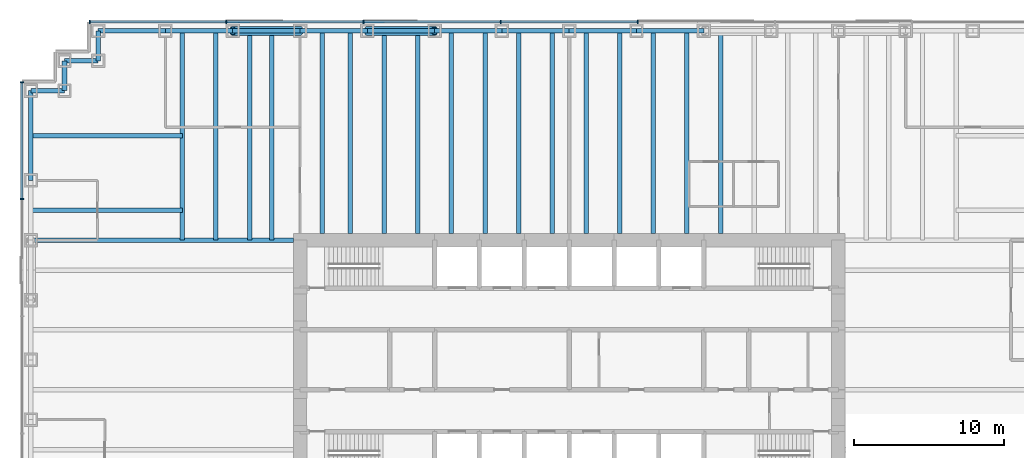
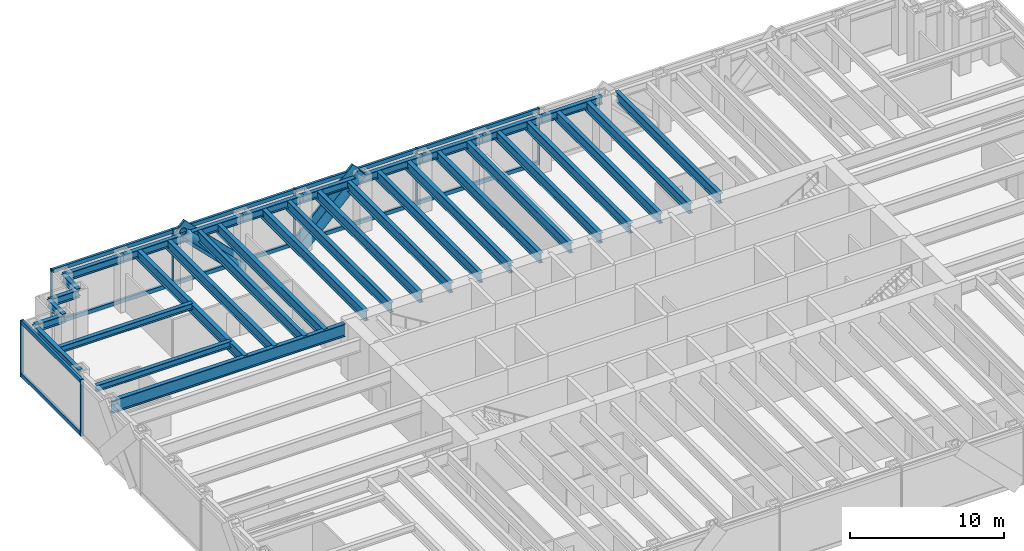
# One storey, part 5 of 13: 34 beams, 21 members, 2 elements without a shape of their own.
"""IFC4 building model written with IfcOpenShell, lengths in metres."""

from ifc_helpers import new_model, si_unit, direction, frame, origin, origin_2d, place, context, subcontext, project, spatial, rectangle, hollow_circle, i_section, extrude, material, material_profile, profile_set, type_object, element, aggregate, save


model = new_model("IFC4")

# Units and contexts
model_context = context("Model", 3, precision=1e-05, world=origin(), true_north=direction((0.0, 1.0)))
body_context = subcontext(model_context, "Body", "Model", "MODEL_VIEW")
ifc_project = project(units=[si_unit("LENGTHUNIT", "METRE"), si_unit("AREAUNIT", "SQUARE_METRE"), si_unit("VOLUMEUNIT", "CUBIC_METRE"), si_unit("PLANEANGLEUNIT", "RADIAN"), si_unit("MASSUNIT", "GRAM", prefix="KILO")], contexts=[model_context])

# Site, building, storey
site_placement = place(None, origin())
site = spatial("IfcSite", under=ifc_project, at=site_placement, CompositionType="ELEMENT")
building_placement = place(site_placement, origin())
building = spatial("IfcBuilding", under=site, at=building_placement, Name="Rheinbord Bourse Tower", CompositionType="ELEMENT")
storey_placement = place(building_placement, frame((0.0, 0.0, 50.0)))
storey = spatial("IfcBuildingStorey", under=building, at=storey_placement, Name="L10", CompositionType="ELEMENT", Elevation=50.0)

# Curtain wall, members
ifc_material_1 = material(Name="Dark glass and black aluminium", Category="aluminium")
curtain_wall_type = type_object("IfcCurtainWallType", Name="CW1 DARK GLASS CURTAIN WALL", PredefinedType="USERDEFINED", material=ifc_material_1)
curtain_wall_1_placement = place(storey_placement, origin())
curtain_wall_1 = element("IfcCurtainWall", 1, at=curtain_wall_1_placement, inside=storey, type_object=curtain_wall_type, Name="Curtain wall CW1 N L10", ObjectType="UNITISED CURTAIN WALL", PredefinedType="USERDEFINED")
ifc_material_2 = material(Name="Black anodised aluminium", Category="aluminium")
ifc_material_profile_1 = material_profile(ifc_material_2, rectangle(XDim=0.179931640625, YDim=1.2099609375, at=origin_2d()), Name="CW1 DIAGONAL MULLION 1210x180")
ifc_profile_set_1 = profile_set([ifc_material_profile_1], Name="Black anodised aluminium")
member_type_1 = type_object("IfcMemberType", Name="CW1 BLACK DIAGONAL MULLION", PredefinedType="USERDEFINED", material=ifc_profile_set_1)
member_1_placement = place(storey_placement, frame((18.0, 46.60009765625, 0.0), z_axis=(-0.707106781187, 0.0, 0.707106781187), x_axis=(0.0, -1.0, 0.0)))
member_1 = element("IfcMember", 2, at=member_1_placement, type_object=member_type_1, Name="CW1 diagonal mullion b", ObjectType="DIAGONAL MULLION", PredefinedType="USERDEFINED", context=body_context, shape_type="SweptSolid", body=[
    extrude(rectangle(XDim=0.179931640625, YDim=1.2099609375, at=origin_2d()), origin(), (0.0, 0.0, 1.0), 6.364013671875),
])
member_2_placement = place(storey_placement, frame((22.5, 46.60009765625, 0.0), z_axis=(0.707106781187, 0.0, 0.707106781187), x_axis=(0.0, 1.0, 0.0)))
member_2 = element("IfcMember", 3, at=member_2_placement, type_object=member_type_1, Name="CW1 diagonal mullion d", ObjectType="DIAGONAL MULLION", PredefinedType="USERDEFINED", context=body_context, shape_type="SweptSolid", body=[
    extrude(rectangle(XDim=0.179931640625, YDim=1.2099609375, at=origin_2d()), origin(), (0.0, 0.0, 1.0), 6.364013671875),
])
ifc_material_3 = material(Name="Black anodised aluminium", Category="aluminium")
ifc_material_profile_2 = material_profile(ifc_material_3, rectangle(XDim=0.25, YDim=0.080078125, at=origin_2d()), Name="CW1 MULLION 80x250")
ifc_profile_set_2 = profile_set([ifc_material_profile_2], Name="Black anodised aluminium")
member_type_2 = type_object("IfcMemberType", Name="CW1 BLACK MULLION", PredefinedType="MULLION", material=ifc_profile_set_2)
member_3_placement = place(storey_placement, frame((40.585693359375, 46.60009765625, 0.0), z_axis=(0.0, 0.0, 1.0), x_axis=(0.0, -1.0, 0.0)))
member_3 = element("IfcMember", 4, at=member_3_placement, type_object=member_type_2, Name="CW1 mullion 4", PredefinedType="MULLION", context=body_context, shape_type="SweptSolid", body=[
    extrude(rectangle(XDim=0.25, YDim=0.080078125, at=origin_2d()), origin(), (0.0, 0.0, 1.0), 4.5),
])
member_4_placement = place(storey_placement, frame((31.414306640625, 46.60009765625, 0.0), z_axis=(0.0, 0.0, 1.0), x_axis=(0.0, -1.0, 0.0)))
member_4 = element("IfcMember", 5, at=member_4_placement, type_object=member_type_2, Name="CW1 mullion 5", PredefinedType="MULLION", context=body_context, shape_type="SweptSolid", body=[
    extrude(rectangle(XDim=0.25, YDim=0.080078125, at=origin_2d()), origin(), (0.0, 0.0, 1.0), 4.5),
])
member_5_placement = place(storey_placement, frame((22.242919921875, 46.60009765625, 0.0), z_axis=(0.0, 0.0, 1.0), x_axis=(0.0, -1.0, 0.0)))
member_5 = element("IfcMember", 6, at=member_5_placement, type_object=member_type_2, Name="CW1 mullion 6", PredefinedType="MULLION", context=body_context, shape_type="SweptSolid", body=[
    extrude(rectangle(XDim=0.25, YDim=0.080078125, at=origin_2d()), origin(), (0.0, 0.0, 1.0), 4.5),
])
member_6_placement = place(storey_placement, frame((13.071533203125, 46.60009765625, 0.0), z_axis=(0.0, 0.0, 1.0), x_axis=(0.0, -1.0, 0.0)))
member_6 = element("IfcMember", 7, at=member_6_placement, type_object=member_type_2, Name="CW1 mullion 7", PredefinedType="MULLION", context=body_context, shape_type="SweptSolid", body=[
    extrude(rectangle(XDim=0.25, YDim=0.080078125, at=origin_2d()), origin(), (0.0, 0.0, 1.0), 4.5),
])
member_7_placement = place(storey_placement, frame((3.93994140625, 46.60009765625, 0.0), z_axis=(0.0, 0.0, 1.0), x_axis=(0.0, -1.0, 0.0)))
member_7 = element("IfcMember", 8, at=member_7_placement, type_object=member_type_2, Name="CW1 mullion 8", PredefinedType="MULLION", context=body_context, shape_type="SweptSolid", body=[
    extrude(rectangle(XDim=0.25, YDim=0.080078125, at=origin_2d()), origin(), (0.0, 0.0, 1.0), 4.5),
])

curtain_wall_2_placement = place(storey_placement, origin())
curtain_wall_2 = element("IfcCurtainWall", 9, at=curtain_wall_2_placement, inside=storey, type_object=curtain_wall_type, Name="Curtain wall CW1 W L10", ObjectType="UNITISED CURTAIN WALL", PredefinedType="USERDEFINED")
member_8_placement = place(storey_placement, frame((-0.60009765625, 42.56005859375, 0.0), z_axis=(0.0, 0.0, 1.0), x_axis=(1.0, 0.0, 0.0)))
member_8 = element("IfcMember", 10, at=member_8_placement, type_object=member_type_2, Name="CW1 mullion 1", PredefinedType="MULLION", context=body_context, shape_type="SweptSolid", body=[
    extrude(rectangle(XDim=0.25, YDim=0.080078125, at=origin_2d()), origin(), (0.0, 0.0, 1.0), 4.5),
])
member_9_placement = place(storey_placement, frame((-0.60009765625, 34.760009765625, 0.0), z_axis=(0.0, 0.0, 1.0), x_axis=(1.0, 0.0, 0.0)))
member_9 = element("IfcMember", 11, at=member_9_placement, type_object=member_type_2, Name="CW1 mullion 2", PredefinedType="MULLION", context=body_context, shape_type="SweptSolid", body=[
    extrude(rectangle(XDim=0.25, YDim=0.080078125, at=origin_2d()), origin(), (0.0, 0.0, 1.0), 4.5),
])

# Member
ifc_material_4 = material(Name="Black anodised aluminium", Category="aluminium")
ifc_material_profile_3 = material_profile(ifc_material_4, rectangle(XDim=0.179931640625, YDim=0.300048828125, at=origin_2d()), Name="CW1 TRANSOM 300x180")
ifc_profile_set_3 = profile_set([ifc_material_profile_3], Name="Black anodised aluminium")
member_type_3 = type_object("IfcMemberType", Name="CW1 BLACK TRANSOM", PredefinedType="USERDEFINED", material=ifc_profile_set_3)
member_10_placement = place(storey_placement, frame((40.545654296875, 46.60009765625, 0.14990234375), z_axis=(-1.0, 0.0, 0.0), x_axis=(0.0, -1.0, 0.0)))
member_10 = element("IfcMember", 12, at=member_10_placement, type_object=member_type_3, Name="CW1 transom 4.1", ObjectType="TRANSOM", PredefinedType="USERDEFINED", context=body_context, shape_type="SweptSolid", body=[
    extrude(rectangle(XDim=0.179931640625, YDim=0.300048828125, at=origin_2d()), origin(), (0.0, 0.0, 1.0), 9.09130859375),
])

member_11_placement = place(storey_placement, frame((40.545654296875, 46.60009765625, 4.35009765625), z_axis=(-1.0, 0.0, 0.0), x_axis=(0.0, -1.0, 0.0)))
member_11 = element("IfcMember", 13, at=member_11_placement, type_object=member_type_3, Name="CW1 transom 4.2", ObjectType="TRANSOM", PredefinedType="USERDEFINED", context=body_context, shape_type="SweptSolid", body=[
    extrude(rectangle(XDim=0.179931640625, YDim=0.300048828125, at=origin_2d()), origin(), (0.0, 0.0, 1.0), 9.09130859375),
])

member_12_placement = place(storey_placement, frame((31.374267578125, 46.60009765625, 0.14990234375), z_axis=(-1.0, 0.0, 0.0), x_axis=(0.0, -1.0, 0.0)))
member_12 = element("IfcMember", 14, at=member_12_placement, type_object=member_type_3, Name="CW1 transom 5.1", ObjectType="TRANSOM", PredefinedType="USERDEFINED", context=body_context, shape_type="SweptSolid", body=[
    extrude(rectangle(XDim=0.179931640625, YDim=0.300048828125, at=origin_2d()), origin(), (0.0, 0.0, 1.0), 9.09130859375),
])

member_13_placement = place(storey_placement, frame((31.374267578125, 46.60009765625, 4.35009765625), z_axis=(-1.0, 0.0, 0.0), x_axis=(0.0, -1.0, 0.0)))
member_13 = element("IfcMember", 15, at=member_13_placement, type_object=member_type_3, Name="CW1 transom 5.2", ObjectType="TRANSOM", PredefinedType="USERDEFINED", context=body_context, shape_type="SweptSolid", body=[
    extrude(rectangle(XDim=0.179931640625, YDim=0.300048828125, at=origin_2d()), origin(), (0.0, 0.0, 1.0), 9.09130859375),
])

member_14_placement = place(storey_placement, frame((22.202880859375, 46.60009765625, 0.14990234375), z_axis=(-1.0, 0.0, 0.0), x_axis=(0.0, -1.0, 0.0)))
member_14 = element("IfcMember", 16, at=member_14_placement, type_object=member_type_3, Name="CW1 transom 6.1", ObjectType="TRANSOM", PredefinedType="USERDEFINED", context=body_context, shape_type="SweptSolid", body=[
    extrude(rectangle(XDim=0.179931640625, YDim=0.300048828125, at=origin_2d()), origin(), (0.0, 0.0, 1.0), 9.091552734375),
])

member_15_placement = place(storey_placement, frame((22.202880859375, 46.60009765625, 4.35009765625), z_axis=(-1.0, 0.0, 0.0), x_axis=(0.0, -1.0, 0.0)))
member_15 = element("IfcMember", 17, at=member_15_placement, type_object=member_type_3, Name="CW1 transom 6.2", ObjectType="TRANSOM", PredefinedType="USERDEFINED", context=body_context, shape_type="SweptSolid", body=[
    extrude(rectangle(XDim=0.179931640625, YDim=0.300048828125, at=origin_2d()), origin(), (0.0, 0.0, 1.0), 9.091552734375),
])

member_16_placement = place(storey_placement, frame((13.031494140625, 46.60009765625, 0.14990234375), z_axis=(-1.0, 0.0, 0.0), x_axis=(0.0, -1.0, 0.0)))
member_16 = element("IfcMember", 18, at=member_16_placement, type_object=member_type_3, Name="CW1 transom 7.1", ObjectType="TRANSOM", PredefinedType="USERDEFINED", context=body_context, shape_type="SweptSolid", body=[
    extrude(rectangle(XDim=0.179931640625, YDim=0.300048828125, at=origin_2d()), origin(), (0.0, 0.0, 1.0), 9.051513671875),
])

member_17_placement = place(storey_placement, frame((13.031494140625, 46.60009765625, 4.35009765625), z_axis=(-1.0, 0.0, 0.0), x_axis=(0.0, -1.0, 0.0)))
member_17 = element("IfcMember", 19, at=member_17_placement, type_object=member_type_3, Name="CW1 transom 7.2", ObjectType="TRANSOM", PredefinedType="USERDEFINED", context=body_context, shape_type="SweptSolid", body=[
    extrude(rectangle(XDim=0.179931640625, YDim=0.300048828125, at=origin_2d()), origin(), (0.0, 0.0, 1.0), 9.051513671875),
])

aggregate(curtain_wall_1, [member_3, member_4, member_5, member_6, member_7, member_10, member_11, member_12, member_13, member_14, member_15, member_16, member_17, member_1, member_2])

member_18_placement = place(storey_placement, frame((-0.60009765625, 42.52001953125, 0.14990234375), z_axis=(0.0, -1.0, 0.0), x_axis=(1.0, 0.0, 0.0)))
member_18 = element("IfcMember", 20, at=member_18_placement, type_object=member_type_3, Name="CW1 transom 1.1", ObjectType="TRANSOM", PredefinedType="USERDEFINED", context=body_context, shape_type="SweptSolid", body=[
    extrude(rectangle(XDim=0.179931640625, YDim=0.300048828125, at=origin_2d()), origin(), (0.0, 0.0, 1.0), 7.719970703125),
])

member_19_placement = place(storey_placement, frame((-0.60009765625, 42.52001953125, 4.35009765625), z_axis=(0.0, -1.0, 0.0), x_axis=(1.0, 0.0, 0.0)))
member_19 = element("IfcMember", 21, at=member_19_placement, type_object=member_type_3, Name="CW1 transom 1.2", ObjectType="TRANSOM", PredefinedType="USERDEFINED", context=body_context, shape_type="SweptSolid", body=[
    extrude(rectangle(XDim=0.179931640625, YDim=0.300048828125, at=origin_2d()), origin(), (0.0, 0.0, 1.0), 7.719970703125),
])

aggregate(curtain_wall_2, [member_8, member_9, member_18, member_19])

# Beams
ifc_material_5 = material(Name="Steel S460", Category="steel")
ifc_material_profile_4 = material_profile(ifc_material_5, i_section(OverallWidth=0.300048828125, OverallDepth=0.800048828125, WebThickness=0.017578125, FlangeThickness=0.032958984375, at=origin_2d()), Name="HEB 800")
ifc_profile_set_4 = profile_set([ifc_material_profile_4], Name="Steel S460")
beam_type_1 = type_object("IfcBeamType", Name="FLOOR BEAM HEB 800", PredefinedType="BEAM", material=ifc_profile_set_4)
for number, where, z_axis, x_axis, name in (
    (22, (10.125, 46.0, 3.919921875), (0.0, -1.0, 0.0), (1.0, 0.0, 0.0), "Floor beam N-9a L11"),
    (23, (12.375, 46.0, 3.919921875), (0.0, -1.0, 0.0), (1.0, 0.0, 0.0), "Floor beam N-9b L11"),
    (24, (14.625, 46.0, 3.919921875), (0.0, -1.0, 0.0), (1.0, 0.0, 0.0), "Floor beam N-13.5a L11"),
    (25, (16.125, 46.0, 3.919921875), (0.0, -1.0, 0.0), (1.0, 0.0, 0.0), "Floor beam N-13.5b L11"),
):
    element("IfcBeam", number, at=place(storey_placement, frame(where, z_axis=z_axis, x_axis=x_axis)), inside=storey, type_object=beam_type_1, Name=name, PredefinedType="BEAM", context=body_context, shape_type="SweptSolid", body=[
        extrude(i_section(OverallWidth=0.300048828125, OverallDepth=0.800048828125, WebThickness=0.017578125, FlangeThickness=0.032958984375, at=origin_2d()), origin(), (0.0, 0.0, 1.0), 14.0),
    ])
for number, where, z_axis, x_axis, name in (
    (26, (19.5, 46.0, 3.919921875), (0.0, -1.0, 0.0), (1.0, 0.0, 0.0), "Floor beam N-18a L11"),
    (27, (21.375, 46.0, 3.919921875), (0.0, -1.0, 0.0), (1.0, 0.0, 0.0), "Floor beam N-18b L11"),
    (28, (23.625, 46.0, 3.919921875), (0.0, -1.0, 0.0), (1.0, 0.0, 0.0), "Floor beam N-22.5a L11"),
    (29, (25.875, 46.0, 3.919921875), (0.0, -1.0, 0.0), (1.0, 0.0, 0.0), "Floor beam N-22.5b L11"),
    (30, (28.125, 46.0, 3.919921875), (0.0, -1.0, 0.0), (1.0, 0.0, 0.0), "Floor beam N-27a L11"),
    (31, (30.375, 46.0, 3.919921875), (0.0, -1.0, 0.0), (1.0, 0.0, 0.0), "Floor beam N-27b L11"),
    (32, (32.625, 46.0, 3.919921875), (0.0, -1.0, 0.0), (1.0, 0.0, 0.0), "Floor beam N-31.5a L11"),
    (33, (34.875, 46.0, 3.919921875), (0.0, -1.0, 0.0), (1.0, 0.0, 0.0), "Floor beam N-31.5b L11"),
    (34, (37.125, 46.0, 3.919921875), (0.0, -1.0, 0.0), (1.0, 0.0, 0.0), "Floor beam N-36a L11"),
    (35, (39.375, 46.0, 3.919921875), (0.0, -1.0, 0.0), (1.0, 0.0, 0.0), "Floor beam N-36b L11"),
    (36, (41.625, 46.0, 3.919921875), (0.0, -1.0, 0.0), (1.0, 0.0, 0.0), "Floor beam N-40.5a L11"),
    (37, (43.875, 46.0, 3.919921875), (0.0, -1.0, 0.0), (1.0, 0.0, 0.0), "Floor beam N-40.5b L11"),
    (38, (46.125, 46.0, 3.919921875), (0.0, -1.0, 0.0), (1.0, 0.0, 0.0), "Floor beam N-45a L11"),
):
    element("IfcBeam", number, at=place(storey_placement, frame(where, z_axis=z_axis, x_axis=x_axis)), inside=storey, type_object=beam_type_1, Name=name, PredefinedType="BEAM", context=body_context, shape_type="SweptSolid", body=[
        extrude(i_section(OverallWidth=0.300048828125, OverallDepth=0.800048828125, WebThickness=0.017578125, FlangeThickness=0.032958984375, at=origin_2d()), origin(), (0.0, 0.0, 1.0), 13.550048828125),
    ])
ifc_material_6 = material(Name="Steel S460", Category="steel")
ifc_material_profile_5 = material_profile(ifc_material_6, i_section(OverallWidth=0.302001953125, OverallDepth=1.008056640625, WebThickness=0.02099609375, FlangeThickness=0.0400390625, at=origin_2d()), Name="HEM 1000")
ifc_profile_set_5 = profile_set([ifc_material_profile_5], Name="Steel S460")
beam_type_2 = type_object("IfcBeamType", Name="GIRDER HEM 1000", PredefinedType="BEAM", material=ifc_profile_set_5)
beam_1_placement = place(storey_placement, frame((0.0, 32.0, 3.81591796875), z_axis=(1.0, 0.0, 0.0), x_axis=(0.0, 1.0, 0.0)))
element("IfcBeam", 39, at=beam_1_placement, inside=storey, type_object=beam_type_2, Name="Girder west 32 L11", PredefinedType="BEAM", context=body_context, shape_type="SweptSolid", body=[
    extrude(i_section(OverallWidth=0.302001953125, OverallDepth=1.008056640625, WebThickness=0.02099609375, FlangeThickness=0.0400390625, at=origin_2d()), origin(), (0.0, 0.0, 1.0), 17.550048828125),
])

# Members
ifc_material_7 = material(Name="Steel S460", Category="steel")
ifc_material_profile_6 = material_profile(ifc_material_7, hollow_circle(Radius=0.304931640625, WallThickness=0.050048828125, at=origin_2d()), Name="CHS 610x50")
ifc_profile_set_6 = profile_set([ifc_material_profile_6], Name="Steel S460")
member_type_4 = type_object("IfcMemberType", Name="MEGABRACE CHS 610x50", PredefinedType="BRACE", material=ifc_profile_set_6)
for number, where, z_axis, x_axis, name in (
    (40, (18.0, 46.0, 0.0), (-0.707106781187, 0.0, 0.707106781187), (0.0, -1.0, 0.0), "Megabrace N face line b L10"),
    (41, (22.5, 46.0, 0.0), (0.707106781187, 0.0, 0.707106781187), (0.0, 1.0, 0.0), "Megabrace N face line d L10"),
):
    element("IfcMember", number, at=place(storey_placement, frame(where, z_axis=z_axis, x_axis=x_axis)), inside=storey, type_object=member_type_4, Name=name, PredefinedType="BRACE", context=body_context, shape_type="SweptSolid", body=[
        extrude(hollow_circle(Radius=0.304931640625, WallThickness=0.050048828125, at=origin_2d()), origin(), (0.0, 0.0, 1.0), 6.364013671875),
    ])

# Beams
ifc_material_8 = material(Name="Steel S460", Category="steel")
ifc_material_profile_7 = material_profile(ifc_material_8, i_section(OverallWidth=0.304931640625, OverallDepth=0.6201171875, WebThickness=0.02099609375, FlangeThickness=0.0400390625, at=origin_2d()), Name="HEM 600")
ifc_profile_set_7 = profile_set([ifc_material_profile_7], Name="Steel S460")
beam_type_3 = type_object("IfcBeamType", Name="SPANDREL HEM 600", PredefinedType="SPANDREL", material=ifc_profile_set_7)
for number, where, z_axis, x_axis, name in (
    (42, (45.0, 46.0, 4.010009765625), (-1.0, 0.0, 0.0), (0.0, -1.0, 0.0), "Spandrel N-45-N-40.5 under L11"),
    (43, (40.5, 46.0, 4.010009765625), (-1.0, 0.0, 0.0), (0.0, -1.0, 0.0), "Spandrel N-40.5-N-36 under L11"),
    (44, (36.0, 46.0, 4.010009765625), (-1.0, 0.0, 0.0), (0.0, -1.0, 0.0), "Spandrel N-36-N-31.5 under L11"),
    (45, (31.5, 46.0, 4.010009765625), (-1.0, 0.0, 0.0), (0.0, -1.0, 0.0), "Spandrel N-31.5-N-27 under L11"),
    (46, (27.0, 46.0, 4.010009765625), (-1.0, 0.0, 0.0), (0.0, -1.0, 0.0), "Spandrel N-27-N-22.5 under L11"),
    (47, (22.5, 46.0, 4.010009765625), (-1.0, 0.0, 0.0), (0.0, -1.0, 0.0), "Spandrel N-22.5-N-18 under L11"),
    (48, (18.0, 46.0, 4.010009765625), (-1.0, 0.0, 0.0), (0.0, -1.0, 0.0), "Spandrel N-18-N-13.5 under L11"),
    (49, (13.5, 46.0, 4.010009765625), (-1.0, 0.0, 0.0), (0.0, -1.0, 0.0), "Spandrel N-13.5-N-9 under L11"),
    (50, (9.0, 46.0, 4.010009765625), (-1.0, 0.0, 0.0), (0.0, -1.0, 0.0), "Spandrel N-9-NW-E under L11"),
):
    element("IfcBeam", number, at=place(storey_placement, frame(where, z_axis=z_axis, x_axis=x_axis)), inside=storey, type_object=beam_type_3, Name=name, PredefinedType="SPANDREL", context=body_context, shape_type="SweptSolid", body=[
        extrude(i_section(OverallWidth=0.304931640625, OverallDepth=0.6201171875, WebThickness=0.02099609375, FlangeThickness=0.0400390625, at=origin_2d()), origin(), (0.0, 0.0, 1.0), 4.5),
    ])
beam_2_placement = place(storey_placement, frame((4.5, 46.0, 4.010009765625), z_axis=(0.0, -1.0, 0.0), x_axis=(1.0, 0.0, 0.0)))
element("IfcBeam", 51, at=beam_2_placement, inside=storey, type_object=beam_type_3, Name="Spandrel NW-E-NW-D under L11", PredefinedType="SPANDREL", context=body_context, shape_type="SweptSolid", body=[
    extrude(i_section(OverallWidth=0.304931640625, OverallDepth=0.6201171875, WebThickness=0.02099609375, FlangeThickness=0.0400390625, at=origin_2d()), origin(), (0.0, 0.0, 1.0), 2.0),
])
beam_3_placement = place(storey_placement, frame((4.5, 44.0, 4.010009765625), z_axis=(-1.0, 0.0, 0.0), x_axis=(0.0, -1.0, 0.0)))
element("IfcBeam", 52, at=beam_3_placement, inside=storey, type_object=beam_type_3, Name="Spandrel NW-D-NW-C under L11", PredefinedType="SPANDREL", context=body_context, shape_type="SweptSolid", body=[
    extrude(i_section(OverallWidth=0.304931640625, OverallDepth=0.6201171875, WebThickness=0.02099609375, FlangeThickness=0.0400390625, at=origin_2d()), origin(), (0.0, 0.0, 1.0), 2.25),
])
beam_4_placement = place(storey_placement, frame((2.25, 44.0, 4.010009765625), z_axis=(0.0, -1.0, 0.0), x_axis=(1.0, 0.0, 0.0)))
element("IfcBeam", 53, at=beam_4_placement, inside=storey, type_object=beam_type_3, Name="Spandrel NW-C-NW-B under L11", PredefinedType="SPANDREL", context=body_context, shape_type="SweptSolid", body=[
    extrude(i_section(OverallWidth=0.304931640625, OverallDepth=0.6201171875, WebThickness=0.02099609375, FlangeThickness=0.0400390625, at=origin_2d()), origin(), (0.0, 0.0, 1.0), 2.0),
])
beam_5_placement = place(storey_placement, frame((2.25, 42.0, 4.010009765625), z_axis=(-1.0, 0.0, 0.0), x_axis=(0.0, -1.0, 0.0)))
element("IfcBeam", 54, at=beam_5_placement, inside=storey, type_object=beam_type_3, Name="Spandrel NW-B-NW-A under L11", PredefinedType="SPANDREL", context=body_context, shape_type="SweptSolid", body=[
    extrude(i_section(OverallWidth=0.304931640625, OverallDepth=0.6201171875, WebThickness=0.02099609375, FlangeThickness=0.0400390625, at=origin_2d()), origin(), (0.0, 0.0, 1.0), 2.25),
])
beam_6_placement = place(storey_placement, frame((0.0, 42.0, 4.010009765625), z_axis=(0.0, -1.0, 0.0), x_axis=(1.0, 0.0, 0.0)))
element("IfcBeam", 55, at=beam_6_placement, inside=storey, type_object=beam_type_3, Name="Spandrel NW-A-W-36 under L11", PredefinedType="SPANDREL", context=body_context, shape_type="SweptSolid", body=[
    extrude(i_section(OverallWidth=0.304931640625, OverallDepth=0.6201171875, WebThickness=0.02099609375, FlangeThickness=0.0400390625, at=origin_2d()), origin(), (0.0, 0.0, 1.0), 6.0),
])
ifc_material_9 = material(Name="Steel S460", Category="steel")
ifc_material_profile_8 = material_profile(ifc_material_9, i_section(OverallWidth=0.300048828125, OverallDepth=0.5, WebThickness=0.014404296875, FlangeThickness=0.028076171875, at=origin_2d()), Name="HEB 500")
ifc_profile_set_8 = profile_set([ifc_material_profile_8], Name="Steel S460")
beam_type_4 = type_object("IfcBeamType", Name="TIE BEAM HEB 500", PredefinedType="JOIST", material=ifc_profile_set_8)
for number, where, z_axis, x_axis, name in (
    (56, (0.0, 34.0, 4.070068359375), (1.0, 0.0, 0.0), (0.0, 1.0, 0.0), "Tie west 34 L11"),
    (57, (0.0, 39.0, 4.070068359375), (1.0, 0.0, 0.0), (0.0, 1.0, 0.0), "Tie west 39 L11"),
):
    element("IfcBeam", number, at=place(storey_placement, frame(where, z_axis=z_axis, x_axis=x_axis)), inside=storey, type_object=beam_type_4, Name=name, PredefinedType="JOIST", context=body_context, shape_type="SweptSolid", body=[
        extrude(i_section(OverallWidth=0.300048828125, OverallDepth=0.5, WebThickness=0.014404296875, FlangeThickness=0.028076171875, at=origin_2d()), origin(), (0.0, 0.0, 1.0), 10.125),
    ])

save(model, "model.ifc")
